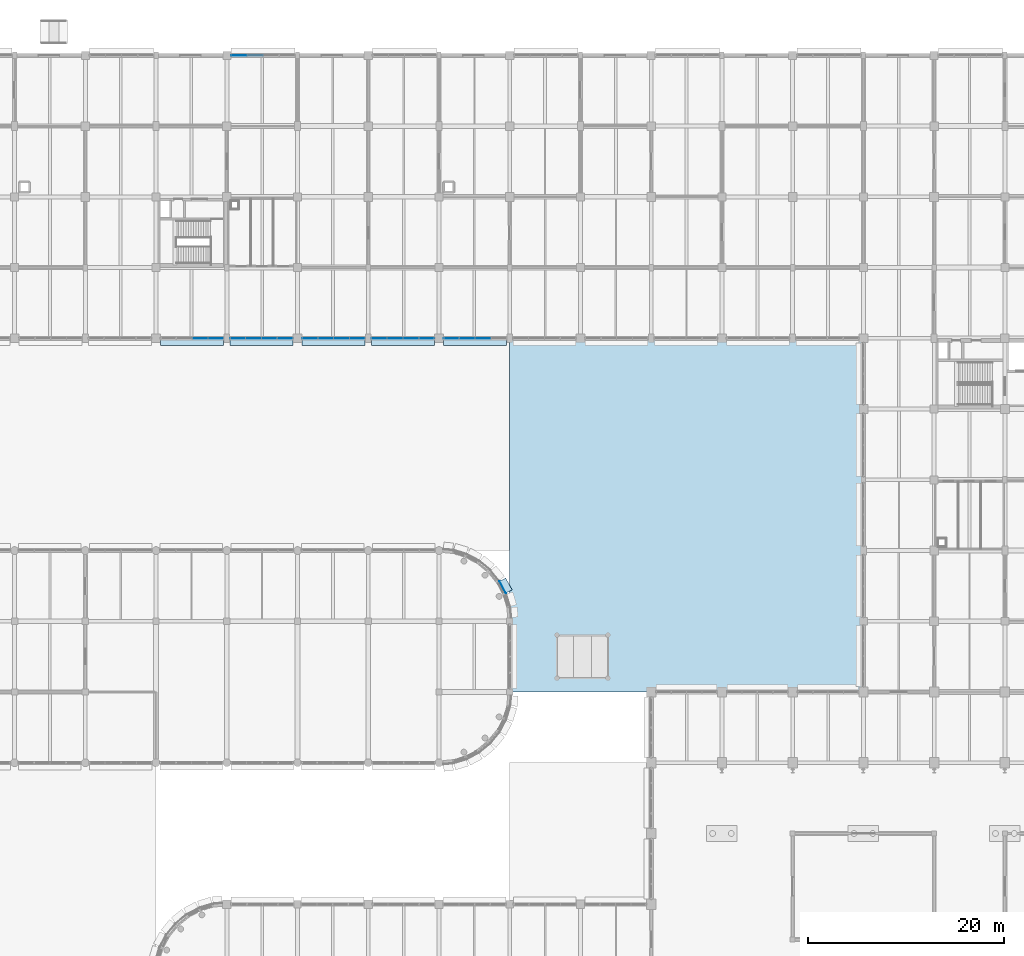
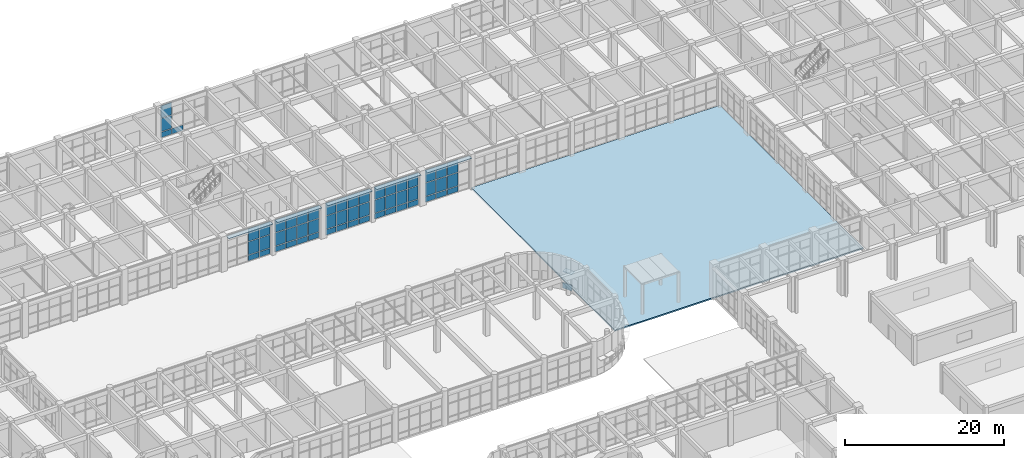
# One storey, part 127 of 160: 62 plates, 1 slab, 6 elements without a shape of their own.
"""IFC4 building model written with IfcOpenShell, lengths in metres."""

import ifcopenshell
import ifcopenshell.guid

model = None  # the IFC model being written
_history = None  # IfcOwnerHistory: only IFC2X3 demands one
_inside = {}  # id of a spatial element -> (the spatial element, [elements in it])
_under = {}  # id of a project, library or spatial element -> (it, [spatial elements below it])
_declared = {}  # id of a project -> (the project, [libraries it declares])
_typed = {}  # id of a type object -> (the type object, [elements of that type])
_made_of = {}  # id of a material, layer set ... -> (it, [elements and type objects made of it])


def new_model(schema):
    """Start an empty IFC model of exactly this schema.

    Asked for "IFC4X3", IfcOpenShell would pick the latest addendum, in which some entities
    have other attributes; the version numbers below select the first issue.
    IFC2X3 requires an IfcOwnerHistory on every rooted entity: one is made here for all.
    """
    global model, _history
    if schema == "IFC4X3":
        model = ifcopenshell.file(schema_version=(4, 3, 0, 0))
    else:
        model = ifcopenshell.file(schema=schema)
    _inside.clear()
    _under.clear()
    _declared.clear()
    _typed.clear()
    _made_of.clear()
    _history = None
    if model.schema == "IFC2X3":
        org = make("IfcOrganization", Name="unknown")
        user = make(
            "IfcPersonAndOrganization",
            ThePerson=make("IfcPerson", FamilyName="unknown"),
            TheOrganization=org,
        )
        app = make(
            "IfcApplication",
            ApplicationDeveloper=org,
            Version="unknown",
            ApplicationFullName="unknown",
            ApplicationIdentifier="unknown",
        )
        _history = make(
            "IfcOwnerHistory",
            OwningUser=user,
            OwningApplication=app,
            ChangeAction="ADDED",
            CreationDate=0,
        )
    return model


def make(cls, **values):
    """One entity of the class cls with the attributes given. An attribute that is None is left unset."""
    return model.create_entity(
        cls, **{name: value for name, value in values.items() if value is not None}
    )


def rooted(cls, **values):
    """An entity with a GlobalId (a new one), such as an element, a storey or a relation."""
    return make(cls, GlobalId=ifcopenshell.guid.new(), OwnerHistory=_history, **values)


def si_unit(unit_type, name, prefix=None):
    """IfcSIUnit, for example si_unit("LENGTHUNIT", "METRE", prefix="MILLI")."""
    return make("IfcSIUnit", UnitType=unit_type, Prefix=prefix, Name=name)


def assignment(units):
    """IfcUnitAssignment: the units of a project."""
    return None if units is None else make("IfcUnitAssignment", Units=units)


def point(xyz):
    """IfcCartesianPoint."""
    return None if xyz is None else make("IfcCartesianPoint", Coordinates=xyz)


def direction(xyz):
    """IfcDirection."""
    return None if xyz is None else make("IfcDirection", DirectionRatios=xyz)


def frame(location, z_axis=None, x_axis=None):
    """IfcAxis2Placement3D, a coordinate frame: its origin and axes. An axis left out is left unset."""
    return make(
        "IfcAxis2Placement3D",
        Location=point(location),
        Axis=direction(z_axis),
        RefDirection=direction(x_axis),
    )


def frame_2d(location, x_axis=None):
    """IfcAxis2Placement2D, a coordinate frame in the plane: its origin and x axis."""
    return make(
        "IfcAxis2Placement2D", Location=point(location), RefDirection=direction(x_axis)
    )


def origin():
    """The frame at (0, 0, 0) with its axes left unset."""
    return frame((0.0, 0.0, 0.0))


def origin_2d():
    """The frame at (0, 0) in the plane with its x axis left unset."""
    return frame_2d((0.0, 0.0))


def place(relative_to, where):
    """IfcLocalPlacement: puts the frame where relative to a parent placement (None: the world)."""
    return make(
        "IfcLocalPlacement", PlacementRelTo=relative_to, RelativePlacement=where
    )


def context(
    kind, dimensions, precision=None, world=None, true_north=None, identifier=None
):
    """IfcGeometricRepresentationContext, for example the 3D "Model" context."""
    return make(
        "IfcGeometricRepresentationContext",
        ContextIdentifier=identifier,
        ContextType=kind,
        CoordinateSpaceDimension=dimensions,
        Precision=precision,
        WorldCoordinateSystem=world,
        TrueNorth=true_north,
    )


def subcontext(parent, identifier, kind, view, scale=None):
    """IfcGeometricRepresentationSubContext, for example "Body" below "Model"."""
    return make(
        "IfcGeometricRepresentationSubContext",
        ContextIdentifier=identifier,
        ContextType=kind,
        ParentContext=parent,
        TargetScale=scale,
        TargetView=view,
    )


def project(units=None, contexts=None):
    """IfcProject with its units and contexts."""
    return rooted(
        "IfcProject",
        Name="project",
        RepresentationContexts=contexts,
        UnitsInContext=assignment(units),
    )


def spatial(cls, under=None, at=None, **own):
    """A site, building, storey or space (cls), placed at a placement, below another one or the project."""
    s = rooted(cls, ObjectPlacement=at, **own)
    if under is not None:
        _under.setdefault(under.id(), (under, []))[1].append(s)
    return s


def polyline(points):
    """IfcPolyline through the points."""
    return make("IfcPolyline", Points=[point(p) for p in points])


def profile(cls, at=None, kind="AREA", **sizes):
    """A parametric profile (cls). Its sizes go by their IFC names, for example OverallWidth=200.0."""
    return make(cls, ProfileType=kind, Position=at, **sizes)


def rectangle(**sizes):
    """IfcRectangleProfileDef."""
    return profile("IfcRectangleProfileDef", **sizes)


def outline(outer, holes=None, kind="AREA"):
    """IfcArbitraryClosedProfileDef: a profile drawn as a closed curve; with holes, ...WithVoids."""
    if holes is None:
        return make("IfcArbitraryClosedProfileDef", ProfileType=kind, OuterCurve=outer)
    return make(
        "IfcArbitraryProfileDefWithVoids",
        ProfileType=kind,
        OuterCurve=outer,
        InnerCurves=holes,
    )


def extrude(swept, where, along, depth):
    """IfcExtrudedAreaSolid: the profile swept, set in the frame where, extruded along a direction by depth."""
    return make(
        "IfcExtrudedAreaSolid",
        SweptArea=swept,
        Position=where,
        ExtrudedDirection=direction(along),
        Depth=depth,
    )


def shape(context_of_items, identifier, shape_type, items):
    """IfcShapeRepresentation: the items that make up one representation, for example the "Body"."""
    return make(
        "IfcShapeRepresentation",
        ContextOfItems=context_of_items,
        RepresentationIdentifier=identifier,
        RepresentationType=shape_type,
        Items=items,
    )


def material(Name=None, Category=None):
    """IfcMaterial."""
    return make("IfcMaterial", Name=Name, Category=Category)


def layer(
    of_material, thickness, ventilated=None, Name=None, Category=None, Priority=None
):
    """IfcMaterialLayer: one layer of a wall or slab, of a material (None: an air gap)."""
    return make(
        "IfcMaterialLayer",
        Material=of_material,
        LayerThickness=thickness,
        IsVentilated=ventilated,
        Name=Name,
        Category=Category,
        Priority=Priority,
    )


def layer_set(layers, Name=None):
    """IfcMaterialLayerSet."""
    return make("IfcMaterialLayerSet", MaterialLayers=layers, LayerSetName=Name)


def made_of(thing, what):
    """Note that an element or type object is made of a material, layer set ...; save() writes the relation."""
    if what is not None:
        _made_of.setdefault(what.id(), (what, []))[1].append(thing)
    return thing


def type_object(cls, material=None, **own):
    """A type object (cls), such as IfcWallType, which elements share."""
    return made_of(rooted(cls, **own), material)


def element(
    cls,
    number,
    at=None,
    inside=None,
    cuts=None,
    type_object=None,
    material=None,
    context=None,
    identifier="Body",
    shape_type=None,
    held_by="IfcProductDefinitionShape",
    body=None,
    shapes=None,
    **own,
):
    """One element of the class cls, such as IfcWall. Its Tag is "e" and its number.

    at: its placement. inside: the storey or other place that contains it. cuts: it is an
    opening in that element (IfcRelVoidsElement). A single representation is given by context,
    identifier, shape_type and body (its items); several are given by shapes. held_by: the class
    of the entity that holds the representations. save() writes the other relations.
    """
    e = rooted(cls, Tag="e%d" % number, ObjectPlacement=at, **own)
    if body is not None:
        shapes = [shape(context, identifier, shape_type, body)]
    if shapes is not None:
        e.Representation = make(held_by, Representations=shapes)
    if inside is not None:
        _inside.setdefault(inside.id(), (inside, []))[1].append(e)
    if cuts is not None:
        rooted(
            "IfcRelVoidsElement", RelatingBuildingElement=cuts, RelatedOpeningElement=e
        )
    if type_object is not None:
        _typed.setdefault(type_object.id(), (type_object, []))[1].append(e)
    return made_of(e, material)


def aggregate(whole, parts):
    """IfcRelAggregates: a whole, such as a stair, and the parts it consists of."""
    return rooted("IfcRelAggregates", RelatingObject=whole, RelatedObjects=parts)


def save(model, path):
    """Write the relations noted so far, then the file.

    IfcRelAggregates (storeys below a building ...), IfcRelContainedInSpatialStructure (elements
    in a storey), IfcRelDefinesByType, IfcRelAssociatesMaterial and IfcRelDeclares: one each for
    every whole, place, type object, material and project.
    """
    for whole, parts in _under.values():
        aggregate(whole, parts)
    for where, things in _inside.values():
        rooted(
            "IfcRelContainedInSpatialStructure",
            RelatedElements=things,
            RelatingStructure=where,
        )
    for kind, things in _typed.values():
        rooted("IfcRelDefinesByType", RelatedObjects=things, RelatingType=kind)
    for what, things in _made_of.values():
        rooted("IfcRelAssociatesMaterial", RelatedObjects=things, RelatingMaterial=what)
    for by, libraries in _declared.values():
        rooted("IfcRelDeclares", RelatingContext=by, RelatedDefinitions=libraries)
    model.write(path)


model = new_model("IFC4")

# Units and contexts
model_context = context("Model", 3, precision=1e-05, world=origin(), true_north=direction((0.0, 1.0)))
body_context = subcontext(model_context, "Body", "Model", "MODEL_VIEW")
ifc_project = project(units=[si_unit("LENGTHUNIT", "METRE"), si_unit("AREAUNIT", "SQUARE_METRE"), si_unit("VOLUMEUNIT", "CUBIC_METRE"), si_unit("PLANEANGLEUNIT", "RADIAN"), si_unit("MASSUNIT", "GRAM", prefix="KILO")], contexts=[model_context])

# Site, building, storey
site_placement = place(None, origin())
site = spatial("IfcSite", under=ifc_project, at=site_placement, CompositionType="ELEMENT")
building_placement = place(site_placement, origin())
building = spatial("IfcBuilding", under=site, at=building_placement, Name="Thalmaran Polytechnic", CompositionType="ELEMENT")
storey_placement = place(building_placement, origin())
storey = spatial("IfcBuildingStorey", under=building, at=storey_placement, Name="L00", CompositionType="ELEMENT", Elevation=0.0)

# Plates
ifc_material_1 = material(Name="Anodised aluminium spandrel band", Category="aluminium")
ifc_layer_1 = layer(ifc_material_1, 0.054931640625, Name="Anodised aluminium spandrel band")
ifc_layer_set_1 = layer_set([ifc_layer_1], Name="Anodised aluminium spandrel band")
plate_type_1 = type_object("IfcPlateType", Name="PT-BD01", PredefinedType="SHEET", material=ifc_layer_set_1)
plate_1_placement = place(storey_placement, frame((92.8779296875, 68.262451171875, 0.02001953125), z_axis=(0.0, 0.0, 1.0), x_axis=(0.471396736826, -0.881921264348, 0.0)))
element("IfcPlate", 1, at=plate_1_placement, inside=storey, type_object=plate_type_1, Name="Streamline Horizontal Spandrel Band L00-125", PredefinedType="SHEET", context=body_context, shape_type="SweptSolid", body=[
    extrude(rectangle(XDim=1.371337890625, YDim=0.054931640625, at=origin_2d()), origin(), (0.0, 0.0, 1.0), 0.8798828125),
])
ifc_material_2 = material(Name="Anodised aluminium sun-hood eyebrow", Category="aluminium")
ifc_layer_2 = layer(ifc_material_2, 0.0849609375, Name="Anodised aluminium sun-hood eyebrow")
ifc_layer_set_2 = layer_set([ifc_layer_2], Name="Anodised aluminium sun-hood eyebrow")
plate_type_2 = type_object("IfcPlateType", Name="PT-EB01", PredefinedType="SHEET", material=ifc_layer_set_2)
for number, where, z_axis, x_axis, name in (
    (2, (82.72998046875, 93.239990234375, 4.987548828125), (0.0, 0.0, 1.0), (-1.0, 0.0, 0.0), "Streamline Sun-Hood Eyebrow L00-CW014"),
    (3, (75.669921875, 93.239990234375, 4.987548828125), (0.0, 0.0, 1.0), (-1.0, 0.0, 0.0), "Streamline Sun-Hood Eyebrow L00-CW015"),
    (4, (68.330078125, 93.239990234375, 4.987548828125), (0.0, 0.0, 1.0), (-1.0, 0.0, 0.0), "Streamline Sun-Hood Eyebrow L00-CW016"),
    (5, (61.27001953125, 93.239990234375, 4.987548828125), (0.0, 0.0, 1.0), (-1.0, 0.0, 0.0), "Streamline Sun-Hood Eyebrow L00-CW017"),
):
    element("IfcPlate", number, at=place(storey_placement, frame(where, z_axis=z_axis, x_axis=x_axis)), inside=storey, type_object=plate_type_2, Name=name, PredefinedType="SHEET", context=body_context, shape_type="SweptSolid", body=[
        extrude(rectangle(XDim=6.419921875, YDim=0.760009765625, at=origin_2d()), origin(), (0.0, 0.0, 1.0), 0.0849609375),
    ])
plate_2_placement = place(storey_placement, frame((93.182373046875, 68.42529296875, 2.517578125), z_axis=(0.0, 0.0, 1.0), x_axis=(0.471396736826, -0.881921264348, 0.0)))
element("IfcPlate", 6, at=plate_2_placement, inside=storey, type_object=plate_type_2, Name="Streamline Sun-Hood Eyebrow L00-125", PredefinedType="SHEET", context=body_context, shape_type="SweptSolid", body=[
    extrude(rectangle(XDim=1.371337890625, YDim=0.760009765625, at=origin_2d()), origin(), (0.0, 0.0, 1.0), 0.0849609375),
])
plate_3_placement = place(storey_placement, frame((90.070068359375, 93.239990234375, 4.987548828125), z_axis=(0.0, 0.0, 1.0), x_axis=(-1.0, 0.0, 0.0)))
element("IfcPlate", 7, at=plate_3_placement, inside=storey, type_object=plate_type_2, Name="Streamline Sun-Hood Eyebrow L00-CW077", PredefinedType="SHEET", context=body_context, shape_type="SweptSolid", body=[
    extrude(rectangle(XDim=6.419921875, YDim=0.760009765625, at=origin_2d()), origin(), (0.0, 0.0, 1.0), 0.0849609375),
])

# Curtain wall, plates
ifc_material_3 = material(Name="Aluminium 6063-T6", Category="aluminium")
curtain_wall_type = type_object("IfcCurtainWallType", Name="CW-UC01", PredefinedType="USERDEFINED", material=ifc_material_3)
curtain_wall_1_placement = place(storey_placement, origin())
curtain_wall_1 = element("IfcCurtainWall", 8, at=curtain_wall_1_placement, inside=storey, type_object=curtain_wall_type, Name="Curtain Wall CW-L00-015", ObjectType="UNITISED CURTAIN WALL", PredefinedType="USERDEFINED")
ifc_material_4 = material(Name="Solar-control double low-E glass", Category="glass")
ifc_layer_3 = layer(ifc_material_4, 0.035888671875, Name="Solar-control double low-E glass")
ifc_layer_set_3 = layer_set([ifc_layer_3], Name="Solar-control double low-E glass")
plate_type_3 = type_object("IfcPlateType", Name="PT-GL01", PredefinedType="CURTAIN_PANEL", material=ifc_layer_set_3)
plate_4_placement = place(storey_placement, frame((78.092529296875, 93.60009765625, 1.0), z_axis=(0.0, 0.0, 1.0), x_axis=(-1.0, 0.0, 0.0)))
plate_4 = element("IfcPlate", 9, at=plate_4_placement, type_object=plate_type_3, Name="CW-L00-015 Vision Panel 1-2", PredefinedType="CURTAIN_PANEL", context=body_context, shape_type="SweptSolid", body=[
    extrude(rectangle(XDim=1.514892578125, YDim=0.035888671875, at=origin_2d()), origin(), (0.0, 0.0, 1.0), 1.985107421875),
])
plate_5_placement = place(storey_placement, frame((78.092529296875, 93.60009765625, 3.06494140625), z_axis=(0.0, 0.0, 1.0), x_axis=(-1.0, 0.0, 0.0)))
plate_5 = element("IfcPlate", 10, at=plate_5_placement, type_object=plate_type_3, Name="CW-L00-015 Vision Panel 1-3", PredefinedType="CURTAIN_PANEL", context=body_context, shape_type="SweptSolid", body=[
    extrude(rectangle(XDim=1.514892578125, YDim=0.035888671875, at=origin_2d()), origin(), (0.0, 0.0, 1.0), 1.925048828125),
])
plate_6_placement = place(storey_placement, frame((76.4775390625, 93.60009765625, 1.0), z_axis=(0.0, 0.0, 1.0), x_axis=(-1.0, 0.0, 0.0)))
plate_6 = element("IfcPlate", 11, at=plate_6_placement, type_object=plate_type_3, Name="CW-L00-015 Vision Panel 2-2", PredefinedType="CURTAIN_PANEL", context=body_context, shape_type="SweptSolid", body=[
    extrude(rectangle(XDim=1.514892578125, YDim=0.035888671875, at=origin_2d()), origin(), (0.0, 0.0, 1.0), 1.985107421875),
])
plate_7_placement = place(storey_placement, frame((76.4775390625, 93.60009765625, 3.06494140625), z_axis=(0.0, 0.0, 1.0), x_axis=(-1.0, 0.0, 0.0)))
plate_7 = element("IfcPlate", 12, at=plate_7_placement, type_object=plate_type_3, Name="CW-L00-015 Vision Panel 2-3", PredefinedType="CURTAIN_PANEL", context=body_context, shape_type="SweptSolid", body=[
    extrude(rectangle(XDim=1.514892578125, YDim=0.035888671875, at=origin_2d()), origin(), (0.0, 0.0, 1.0), 1.925048828125),
])
plate_8_placement = place(storey_placement, frame((74.862548828125, 93.60009765625, 1.0), z_axis=(0.0, 0.0, 1.0), x_axis=(-1.0, 0.0, 0.0)))
plate_8 = element("IfcPlate", 13, at=plate_8_placement, type_object=plate_type_3, Name="CW-L00-015 Vision Panel 3-2", PredefinedType="CURTAIN_PANEL", context=body_context, shape_type="SweptSolid", body=[
    extrude(rectangle(XDim=1.514892578125, YDim=0.035888671875, at=origin_2d()), origin(), (0.0, 0.0, 1.0), 1.985107421875),
])
plate_9_placement = place(storey_placement, frame((74.862548828125, 93.60009765625, 3.06494140625), z_axis=(0.0, 0.0, 1.0), x_axis=(-1.0, 0.0, 0.0)))
plate_9 = element("IfcPlate", 14, at=plate_9_placement, type_object=plate_type_3, Name="CW-L00-015 Vision Panel 3-3", PredefinedType="CURTAIN_PANEL", context=body_context, shape_type="SweptSolid", body=[
    extrude(rectangle(XDim=1.514892578125, YDim=0.035888671875, at=origin_2d()), origin(), (0.0, 0.0, 1.0), 1.925048828125),
])
plate_10_placement = place(storey_placement, frame((73.24755859375, 93.60009765625, 1.0), z_axis=(0.0, 0.0, 1.0), x_axis=(-1.0, 0.0, 0.0)))
plate_10 = element("IfcPlate", 15, at=plate_10_placement, type_object=plate_type_3, Name="CW-L00-015 Vision Panel 4-2", PredefinedType="CURTAIN_PANEL", context=body_context, shape_type="SweptSolid", body=[
    extrude(rectangle(XDim=1.514892578125, YDim=0.035888671875, at=origin_2d()), origin(), (0.0, 0.0, 1.0), 1.985107421875),
])
plate_11_placement = place(storey_placement, frame((73.24755859375, 93.60009765625, 3.06494140625), z_axis=(0.0, 0.0, 1.0), x_axis=(-1.0, 0.0, 0.0)))
plate_11 = element("IfcPlate", 16, at=plate_11_placement, type_object=plate_type_3, Name="CW-L00-015 Vision Panel 4-3", PredefinedType="CURTAIN_PANEL", context=body_context, shape_type="SweptSolid", body=[
    extrude(rectangle(XDim=1.514892578125, YDim=0.035888671875, at=origin_2d()), origin(), (0.0, 0.0, 1.0), 1.925048828125),
])

curtain_wall_2_placement = place(storey_placement, origin())
curtain_wall_2 = element("IfcCurtainWall", 17, at=curtain_wall_2_placement, inside=storey, type_object=curtain_wall_type, Name="Curtain Wall CW-L00-006", ObjectType="UNITISED CURTAIN WALL", PredefinedType="USERDEFINED")
ifc_layer_4 = layer(ifc_material_4, 0.035888671875, Name="Solar-control double low-E glass")
ifc_layer_set_4 = layer_set([ifc_layer_4], Name="Solar-control double low-E glass")
plate_type_4 = type_object("IfcPlateType", Name="PT-GL02", PredefinedType="CURTAIN_PANEL", material=ifc_layer_set_4)
plate_12_placement = place(storey_placement, frame((66.030517578125, 122.39990234375, 1.0), z_axis=(0.0, 0.0, 1.0), x_axis=(1.0, 0.0, 0.0)))
plate_12 = element("IfcPlate", 18, at=plate_12_placement, type_object=plate_type_4, Name="CW-L00-006 Vision Panel 1-2", PredefinedType="CURTAIN_PANEL", context=body_context, shape_type="SweptSolid", body=[
    extrude(rectangle(XDim=1.541259765625, YDim=0.035888671875, at=origin_2d()), origin(), (0.0, 0.0, 1.0), 1.985107421875),
])
plate_13_placement = place(storey_placement, frame((66.030517578125, 122.39990234375, 3.06494140625), z_axis=(0.0, 0.0, 1.0), x_axis=(1.0, 0.0, 0.0)))
plate_13 = element("IfcPlate", 19, at=plate_13_placement, type_object=plate_type_4, Name="CW-L00-006 Vision Panel 1-3", PredefinedType="CURTAIN_PANEL", context=body_context, shape_type="SweptSolid", body=[
    extrude(rectangle(XDim=1.541259765625, YDim=0.035888671875, at=origin_2d()), origin(), (0.0, 0.0, 1.0), 1.925048828125),
])

curtain_wall_3_placement = place(storey_placement, origin())
curtain_wall_3 = element("IfcCurtainWall", 20, at=curtain_wall_3_placement, inside=storey, type_object=curtain_wall_type, Name="Curtain Wall CW-L00-016", ObjectType="UNITISED CURTAIN WALL", PredefinedType="USERDEFINED")
plate_14_placement = place(storey_placement, frame((70.75244140625, 93.60009765625, 1.0), z_axis=(0.0, 0.0, 1.0), x_axis=(-1.0, 0.0, 0.0)))
plate_14 = element("IfcPlate", 21, at=plate_14_placement, type_object=plate_type_4, Name="CW-L00-016 Vision Panel 1-2", PredefinedType="CURTAIN_PANEL", context=body_context, shape_type="SweptSolid", body=[
    extrude(rectangle(XDim=1.514892578125, YDim=0.035888671875, at=origin_2d()), origin(), (0.0, 0.0, 1.0), 1.985107421875),
])
plate_15_placement = place(storey_placement, frame((70.75244140625, 93.60009765625, 3.06494140625), z_axis=(0.0, 0.0, 1.0), x_axis=(-1.0, 0.0, 0.0)))
plate_15 = element("IfcPlate", 22, at=plate_15_placement, type_object=plate_type_4, Name="CW-L00-016 Vision Panel 1-3", PredefinedType="CURTAIN_PANEL", context=body_context, shape_type="SweptSolid", body=[
    extrude(rectangle(XDim=1.514892578125, YDim=0.035888671875, at=origin_2d()), origin(), (0.0, 0.0, 1.0), 1.925048828125),
])
plate_16_placement = place(storey_placement, frame((69.137451171875, 93.60009765625, 1.0), z_axis=(0.0, 0.0, 1.0), x_axis=(-1.0, 0.0, 0.0)))
plate_16 = element("IfcPlate", 23, at=plate_16_placement, type_object=plate_type_4, Name="CW-L00-016 Vision Panel 2-2", PredefinedType="CURTAIN_PANEL", context=body_context, shape_type="SweptSolid", body=[
    extrude(rectangle(XDim=1.514892578125, YDim=0.035888671875, at=origin_2d()), origin(), (0.0, 0.0, 1.0), 1.985107421875),
])
plate_17_placement = place(storey_placement, frame((69.137451171875, 93.60009765625, 3.06494140625), z_axis=(0.0, 0.0, 1.0), x_axis=(-1.0, 0.0, 0.0)))
plate_17 = element("IfcPlate", 24, at=plate_17_placement, type_object=plate_type_4, Name="CW-L00-016 Vision Panel 2-3", PredefinedType="CURTAIN_PANEL", context=body_context, shape_type="SweptSolid", body=[
    extrude(rectangle(XDim=1.514892578125, YDim=0.035888671875, at=origin_2d()), origin(), (0.0, 0.0, 1.0), 1.925048828125),
])
plate_18_placement = place(storey_placement, frame((67.5224609375, 93.60009765625, 1.0), z_axis=(0.0, 0.0, 1.0), x_axis=(-1.0, 0.0, 0.0)))
plate_18 = element("IfcPlate", 25, at=plate_18_placement, type_object=plate_type_4, Name="CW-L00-016 Vision Panel 3-2", PredefinedType="CURTAIN_PANEL", context=body_context, shape_type="SweptSolid", body=[
    extrude(rectangle(XDim=1.514892578125, YDim=0.035888671875, at=origin_2d()), origin(), (0.0, 0.0, 1.0), 1.985107421875),
])
plate_19_placement = place(storey_placement, frame((67.5224609375, 93.60009765625, 3.06494140625), z_axis=(0.0, 0.0, 1.0), x_axis=(-1.0, 0.0, 0.0)))
plate_19 = element("IfcPlate", 26, at=plate_19_placement, type_object=plate_type_4, Name="CW-L00-016 Vision Panel 3-3", PredefinedType="CURTAIN_PANEL", context=body_context, shape_type="SweptSolid", body=[
    extrude(rectangle(XDim=1.514892578125, YDim=0.035888671875, at=origin_2d()), origin(), (0.0, 0.0, 1.0), 1.925048828125),
])
plate_20_placement = place(storey_placement, frame((65.907470703125, 93.60009765625, 1.0), z_axis=(0.0, 0.0, 1.0), x_axis=(-1.0, 0.0, 0.0)))
plate_20 = element("IfcPlate", 27, at=plate_20_placement, type_object=plate_type_4, Name="CW-L00-016 Vision Panel 4-2", PredefinedType="CURTAIN_PANEL", context=body_context, shape_type="SweptSolid", body=[
    extrude(rectangle(XDim=1.514892578125, YDim=0.035888671875, at=origin_2d()), origin(), (0.0, 0.0, 1.0), 1.985107421875),
])
plate_21_placement = place(storey_placement, frame((65.907470703125, 93.60009765625, 3.06494140625), z_axis=(0.0, 0.0, 1.0), x_axis=(-1.0, 0.0, 0.0)))
plate_21 = element("IfcPlate", 28, at=plate_21_placement, type_object=plate_type_4, Name="CW-L00-016 Vision Panel 4-3", PredefinedType="CURTAIN_PANEL", context=body_context, shape_type="SweptSolid", body=[
    extrude(rectangle(XDim=1.514892578125, YDim=0.035888671875, at=origin_2d()), origin(), (0.0, 0.0, 1.0), 1.925048828125),
])

curtain_wall_4_placement = place(storey_placement, origin())
curtain_wall_4 = element("IfcCurtainWall", 29, at=curtain_wall_4_placement, inside=storey, type_object=curtain_wall_type, Name="Curtain Wall CW-L00-017", ObjectType="UNITISED CURTAIN WALL", PredefinedType="USERDEFINED")
ifc_layer_5 = layer(ifc_material_4, 0.035888671875, Name="Solar-control double low-E glass")
ifc_layer_set_5 = layer_set([ifc_layer_5], Name="Solar-control double low-E glass")
plate_type_5 = type_object("IfcPlateType", Name="PT-GL03", PredefinedType="CURTAIN_PANEL", material=ifc_layer_set_5)
plate_22_placement = place(storey_placement, frame((63.6923828125, 93.60009765625, 1.0), z_axis=(0.0, 0.0, 1.0), x_axis=(-1.0, 0.0, 0.0)))
plate_22 = element("IfcPlate", 30, at=plate_22_placement, type_object=plate_type_5, Name="CW-L00-017 Vision Panel 1-2", PredefinedType="CURTAIN_PANEL", context=body_context, shape_type="SweptSolid", body=[
    extrude(rectangle(XDim=1.514892578125, YDim=0.035888671875, at=origin_2d()), origin(), (0.0, 0.0, 1.0), 1.985107421875),
])
plate_23_placement = place(storey_placement, frame((63.6923828125, 93.60009765625, 3.06494140625), z_axis=(0.0, 0.0, 1.0), x_axis=(-1.0, 0.0, 0.0)))
plate_23 = element("IfcPlate", 31, at=plate_23_placement, type_object=plate_type_5, Name="CW-L00-017 Vision Panel 1-3", PredefinedType="CURTAIN_PANEL", context=body_context, shape_type="SweptSolid", body=[
    extrude(rectangle(XDim=1.514892578125, YDim=0.035888671875, at=origin_2d()), origin(), (0.0, 0.0, 1.0), 1.925048828125),
])
plate_24_placement = place(storey_placement, frame((62.077392578125, 93.60009765625, 1.0), z_axis=(0.0, 0.0, 1.0), x_axis=(-1.0, 0.0, 0.0)))
plate_24 = element("IfcPlate", 32, at=plate_24_placement, type_object=plate_type_5, Name="CW-L00-017 Vision Panel 2-2", PredefinedType="CURTAIN_PANEL", context=body_context, shape_type="SweptSolid", body=[
    extrude(rectangle(XDim=1.514892578125, YDim=0.035888671875, at=origin_2d()), origin(), (0.0, 0.0, 1.0), 1.985107421875),
])
plate_25_placement = place(storey_placement, frame((62.077392578125, 93.60009765625, 3.06494140625), z_axis=(0.0, 0.0, 1.0), x_axis=(-1.0, 0.0, 0.0)))
plate_25 = element("IfcPlate", 33, at=plate_25_placement, type_object=plate_type_5, Name="CW-L00-017 Vision Panel 2-3", PredefinedType="CURTAIN_PANEL", context=body_context, shape_type="SweptSolid", body=[
    extrude(rectangle(XDim=1.514892578125, YDim=0.035888671875, at=origin_2d()), origin(), (0.0, 0.0, 1.0), 1.925048828125),
])

curtain_wall_5_placement = place(storey_placement, origin())
curtain_wall_5 = element("IfcCurtainWall", 34, at=curtain_wall_5_placement, inside=storey, type_object=curtain_wall_type, Name="Curtain Wall CW-L00-077", ObjectType="UNITISED CURTAIN WALL", PredefinedType="USERDEFINED")
plate_26_placement = place(storey_placement, frame((90.87744140625, 93.60009765625, 1.0), z_axis=(0.0, 0.0, 1.0), x_axis=(-1.0, 0.0, 0.0)))
plate_26 = element("IfcPlate", 35, at=plate_26_placement, type_object=plate_type_5, Name="CW-L00-077 Vision Panel 2-2", PredefinedType="CURTAIN_PANEL", context=body_context, shape_type="SweptSolid", body=[
    extrude(rectangle(XDim=1.514892578125, YDim=0.035888671875, at=origin_2d()), origin(), (0.0, 0.0, 1.0), 1.985107421875),
])
plate_27_placement = place(storey_placement, frame((90.87744140625, 93.60009765625, 3.06494140625), z_axis=(0.0, 0.0, 1.0), x_axis=(-1.0, 0.0, 0.0)))
plate_27 = element("IfcPlate", 36, at=plate_27_placement, type_object=plate_type_5, Name="CW-L00-077 Vision Panel 2-3", PredefinedType="CURTAIN_PANEL", context=body_context, shape_type="SweptSolid", body=[
    extrude(rectangle(XDim=1.514892578125, YDim=0.035888671875, at=origin_2d()), origin(), (0.0, 0.0, 1.0), 1.925048828125),
])
plate_28_placement = place(storey_placement, frame((89.262451171875, 93.60009765625, 1.0), z_axis=(0.0, 0.0, 1.0), x_axis=(-1.0, 0.0, 0.0)))
plate_28 = element("IfcPlate", 37, at=plate_28_placement, type_object=plate_type_5, Name="CW-L00-077 Vision Panel 3-2", PredefinedType="CURTAIN_PANEL", context=body_context, shape_type="SweptSolid", body=[
    extrude(rectangle(XDim=1.514892578125, YDim=0.035888671875, at=origin_2d()), origin(), (0.0, 0.0, 1.0), 1.985107421875),
])
plate_29_placement = place(storey_placement, frame((89.262451171875, 93.60009765625, 3.06494140625), z_axis=(0.0, 0.0, 1.0), x_axis=(-1.0, 0.0, 0.0)))
plate_29 = element("IfcPlate", 38, at=plate_29_placement, type_object=plate_type_5, Name="CW-L00-077 Vision Panel 3-3", PredefinedType="CURTAIN_PANEL", context=body_context, shape_type="SweptSolid", body=[
    extrude(rectangle(XDim=1.514892578125, YDim=0.035888671875, at=origin_2d()), origin(), (0.0, 0.0, 1.0), 1.925048828125),
])
plate_30_placement = place(storey_placement, frame((87.6474609375, 93.60009765625, 1.0), z_axis=(0.0, 0.0, 1.0), x_axis=(-1.0, 0.0, 0.0)))
plate_30 = element("IfcPlate", 39, at=plate_30_placement, type_object=plate_type_5, Name="CW-L00-077 Vision Panel 4-2", PredefinedType="CURTAIN_PANEL", context=body_context, shape_type="SweptSolid", body=[
    extrude(rectangle(XDim=1.514892578125, YDim=0.035888671875, at=origin_2d()), origin(), (0.0, 0.0, 1.0), 1.985107421875),
])
plate_31_placement = place(storey_placement, frame((87.6474609375, 93.60009765625, 3.06494140625), z_axis=(0.0, 0.0, 1.0), x_axis=(-1.0, 0.0, 0.0)))
plate_31 = element("IfcPlate", 40, at=plate_31_placement, type_object=plate_type_5, Name="CW-L00-077 Vision Panel 4-3", PredefinedType="CURTAIN_PANEL", context=body_context, shape_type="SweptSolid", body=[
    extrude(rectangle(XDim=1.514892578125, YDim=0.035888671875, at=origin_2d()), origin(), (0.0, 0.0, 1.0), 1.925048828125),
])

curtain_wall_6_placement = place(storey_placement, origin())
curtain_wall_6 = element("IfcCurtainWall", 41, at=curtain_wall_6_placement, inside=storey, type_object=curtain_wall_type, Name="Curtain Wall CW-L00-014", ObjectType="UNITISED CURTAIN WALL", PredefinedType="USERDEFINED")
ifc_layer_6 = layer(ifc_material_4, 0.035888671875, Name="Solar-control double low-E glass")
ifc_layer_set_6 = layer_set([ifc_layer_6], Name="Solar-control double low-E glass")
plate_type_6 = type_object("IfcPlateType", Name="PT-GL05", PredefinedType="CURTAIN_PANEL", material=ifc_layer_set_6)
plate_32_placement = place(storey_placement, frame((85.152587890625, 93.60009765625, 1.0), z_axis=(0.0, 0.0, 1.0), x_axis=(-1.0, 0.0, 0.0)))
plate_32 = element("IfcPlate", 42, at=plate_32_placement, type_object=plate_type_6, Name="CW-L00-014 Vision Panel 1-2", PredefinedType="CURTAIN_PANEL", context=body_context, shape_type="SweptSolid", body=[
    extrude(rectangle(XDim=1.514892578125, YDim=0.035888671875, at=origin_2d()), origin(), (0.0, 0.0, 1.0), 1.985107421875),
])
plate_33_placement = place(storey_placement, frame((85.152587890625, 93.60009765625, 3.06494140625), z_axis=(0.0, 0.0, 1.0), x_axis=(-1.0, 0.0, 0.0)))
plate_33 = element("IfcPlate", 43, at=plate_33_placement, type_object=plate_type_6, Name="CW-L00-014 Vision Panel 1-3", PredefinedType="CURTAIN_PANEL", context=body_context, shape_type="SweptSolid", body=[
    extrude(rectangle(XDim=1.514892578125, YDim=0.035888671875, at=origin_2d()), origin(), (0.0, 0.0, 1.0), 1.925048828125),
])
plate_34_placement = place(storey_placement, frame((83.53759765625, 93.60009765625, 1.0), z_axis=(0.0, 0.0, 1.0), x_axis=(-1.0, 0.0, 0.0)))
plate_34 = element("IfcPlate", 44, at=plate_34_placement, type_object=plate_type_6, Name="CW-L00-014 Vision Panel 2-2", PredefinedType="CURTAIN_PANEL", context=body_context, shape_type="SweptSolid", body=[
    extrude(rectangle(XDim=1.514892578125, YDim=0.035888671875, at=origin_2d()), origin(), (0.0, 0.0, 1.0), 1.985107421875),
])
plate_35_placement = place(storey_placement, frame((83.53759765625, 93.60009765625, 3.06494140625), z_axis=(0.0, 0.0, 1.0), x_axis=(-1.0, 0.0, 0.0)))
plate_35 = element("IfcPlate", 45, at=plate_35_placement, type_object=plate_type_6, Name="CW-L00-014 Vision Panel 2-3", PredefinedType="CURTAIN_PANEL", context=body_context, shape_type="SweptSolid", body=[
    extrude(rectangle(XDim=1.514892578125, YDim=0.035888671875, at=origin_2d()), origin(), (0.0, 0.0, 1.0), 1.925048828125),
])
plate_36_placement = place(storey_placement, frame((81.922607421875, 93.60009765625, 1.0), z_axis=(0.0, 0.0, 1.0), x_axis=(-1.0, 0.0, 0.0)))
plate_36 = element("IfcPlate", 46, at=plate_36_placement, type_object=plate_type_6, Name="CW-L00-014 Vision Panel 3-2", PredefinedType="CURTAIN_PANEL", context=body_context, shape_type="SweptSolid", body=[
    extrude(rectangle(XDim=1.514892578125, YDim=0.035888671875, at=origin_2d()), origin(), (0.0, 0.0, 1.0), 1.985107421875),
])
plate_37_placement = place(storey_placement, frame((81.922607421875, 93.60009765625, 3.06494140625), z_axis=(0.0, 0.0, 1.0), x_axis=(-1.0, 0.0, 0.0)))
plate_37 = element("IfcPlate", 47, at=plate_37_placement, type_object=plate_type_6, Name="CW-L00-014 Vision Panel 3-3", PredefinedType="CURTAIN_PANEL", context=body_context, shape_type="SweptSolid", body=[
    extrude(rectangle(XDim=1.514892578125, YDim=0.035888671875, at=origin_2d()), origin(), (0.0, 0.0, 1.0), 1.925048828125),
])
plate_38_placement = place(storey_placement, frame((80.3076171875, 93.60009765625, 1.0), z_axis=(0.0, 0.0, 1.0), x_axis=(-1.0, 0.0, 0.0)))
plate_38 = element("IfcPlate", 48, at=plate_38_placement, type_object=plate_type_6, Name="CW-L00-014 Vision Panel 4-2", PredefinedType="CURTAIN_PANEL", context=body_context, shape_type="SweptSolid", body=[
    extrude(rectangle(XDim=1.514892578125, YDim=0.035888671875, at=origin_2d()), origin(), (0.0, 0.0, 1.0), 1.985107421875),
])
plate_39_placement = place(storey_placement, frame((80.3076171875, 93.60009765625, 3.06494140625), z_axis=(0.0, 0.0, 1.0), x_axis=(-1.0, 0.0, 0.0)))
plate_39 = element("IfcPlate", 49, at=plate_39_placement, type_object=plate_type_6, Name="CW-L00-014 Vision Panel 4-3", PredefinedType="CURTAIN_PANEL", context=body_context, shape_type="SweptSolid", body=[
    extrude(rectangle(XDim=1.514892578125, YDim=0.035888671875, at=origin_2d()), origin(), (0.0, 0.0, 1.0), 1.925048828125),
])

# Plate
ifc_material_5 = material(Name="Insulated anodised aluminium spandrel", Category="aluminium")
ifc_layer_7 = layer(ifc_material_5, 0.06005859375, Name="Insulated anodised aluminium spandrel")
ifc_layer_set_7 = layer_set([ifc_layer_7], Name="Insulated anodised aluminium spandrel")
plate_type_7 = type_object("IfcPlateType", Name="PT-SP01", PredefinedType="CURTAIN_PANEL", material=ifc_layer_set_7)
plate_40_placement = place(storey_placement, frame((66.030517578125, 122.39990234375, 0.10009765625), z_axis=(0.0, 0.0, 1.0), x_axis=(1.0, 0.0, 0.0)))
plate_40 = element("IfcPlate", 50, at=plate_40_placement, type_object=plate_type_7, Name="CW-L00-006 Spandrel Panel 1-1", PredefinedType="CURTAIN_PANEL", context=body_context, shape_type="SweptSolid", body=[
    extrude(rectangle(XDim=1.541259765625, YDim=0.06005859375, at=origin_2d()), origin(), (0.0, 0.0, 1.0), 0.820068359375),
])

plate_41_placement = place(storey_placement, frame((67.671875, 122.39990234375, 0.10009765625), z_axis=(0.0, 0.0, 1.0), x_axis=(1.0, 0.0, 0.0)))
plate_41 = element("IfcPlate", 51, at=plate_41_placement, type_object=plate_type_7, Name="CW-L00-006 Spandrel Panel 2-1", PredefinedType="CURTAIN_PANEL", context=body_context, shape_type="SweptSolid", body=[
    extrude(rectangle(XDim=1.541259765625, YDim=0.06005859375, at=origin_2d()), origin(), (0.0, 0.0, 1.0), 0.820068359375),
])

aggregate(curtain_wall_2, [plate_40, plate_12, plate_13, plate_41])

plate_42_placement = place(storey_placement, frame((78.092529296875, 93.60009765625, 0.10009765625), z_axis=(0.0, 0.0, 1.0), x_axis=(-1.0, 0.0, 0.0)))
plate_42 = element("IfcPlate", 52, at=plate_42_placement, type_object=plate_type_7, Name="CW-L00-015 Spandrel Panel 1-1", PredefinedType="CURTAIN_PANEL", context=body_context, shape_type="SweptSolid", body=[
    extrude(rectangle(XDim=1.514892578125, YDim=0.06005859375, at=origin_2d()), origin(), (0.0, 0.0, 1.0), 0.820068359375),
])

plate_43_placement = place(storey_placement, frame((76.4775390625, 93.60009765625, 0.10009765625), z_axis=(0.0, 0.0, 1.0), x_axis=(-1.0, 0.0, 0.0)))
plate_43 = element("IfcPlate", 53, at=plate_43_placement, type_object=plate_type_7, Name="CW-L00-015 Spandrel Panel 2-1", PredefinedType="CURTAIN_PANEL", context=body_context, shape_type="SweptSolid", body=[
    extrude(rectangle(XDim=1.514892578125, YDim=0.06005859375, at=origin_2d()), origin(), (0.0, 0.0, 1.0), 0.820068359375),
])

plate_44_placement = place(storey_placement, frame((74.862548828125, 93.60009765625, 0.10009765625), z_axis=(0.0, 0.0, 1.0), x_axis=(-1.0, 0.0, 0.0)))
plate_44 = element("IfcPlate", 54, at=plate_44_placement, type_object=plate_type_7, Name="CW-L00-015 Spandrel Panel 3-1", PredefinedType="CURTAIN_PANEL", context=body_context, shape_type="SweptSolid", body=[
    extrude(rectangle(XDim=1.514892578125, YDim=0.06005859375, at=origin_2d()), origin(), (0.0, 0.0, 1.0), 0.820068359375),
])

plate_45_placement = place(storey_placement, frame((73.24755859375, 93.60009765625, 0.10009765625), z_axis=(0.0, 0.0, 1.0), x_axis=(-1.0, 0.0, 0.0)))
plate_45 = element("IfcPlate", 55, at=plate_45_placement, type_object=plate_type_7, Name="CW-L00-015 Spandrel Panel 4-1", PredefinedType="CURTAIN_PANEL", context=body_context, shape_type="SweptSolid", body=[
    extrude(rectangle(XDim=1.514892578125, YDim=0.06005859375, at=origin_2d()), origin(), (0.0, 0.0, 1.0), 0.820068359375),
])

aggregate(curtain_wall_1, [plate_42, plate_4, plate_5, plate_43, plate_6, plate_7, plate_44, plate_8, plate_9, plate_45, plate_10, plate_11])

ifc_layer_8 = layer(ifc_material_5, 0.06005859375, Name="Insulated anodised aluminium spandrel")
ifc_layer_set_8 = layer_set([ifc_layer_8], Name="Insulated anodised aluminium spandrel")
plate_type_8 = type_object("IfcPlateType", Name="PT-SP02", PredefinedType="CURTAIN_PANEL", material=ifc_layer_set_8)
plate_46_placement = place(storey_placement, frame((70.75244140625, 93.60009765625, 0.10009765625), z_axis=(0.0, 0.0, 1.0), x_axis=(-1.0, 0.0, 0.0)))
plate_46 = element("IfcPlate", 56, at=plate_46_placement, type_object=plate_type_8, Name="CW-L00-016 Spandrel Panel 1-1", PredefinedType="CURTAIN_PANEL", context=body_context, shape_type="SweptSolid", body=[
    extrude(rectangle(XDim=1.514892578125, YDim=0.06005859375, at=origin_2d()), origin(), (0.0, 0.0, 1.0), 0.820068359375),
])

plate_47_placement = place(storey_placement, frame((69.137451171875, 93.60009765625, 0.10009765625), z_axis=(0.0, 0.0, 1.0), x_axis=(-1.0, 0.0, 0.0)))
plate_47 = element("IfcPlate", 57, at=plate_47_placement, type_object=plate_type_8, Name="CW-L00-016 Spandrel Panel 2-1", PredefinedType="CURTAIN_PANEL", context=body_context, shape_type="SweptSolid", body=[
    extrude(rectangle(XDim=1.514892578125, YDim=0.06005859375, at=origin_2d()), origin(), (0.0, 0.0, 1.0), 0.820068359375),
])

plate_48_placement = place(storey_placement, frame((67.5224609375, 93.60009765625, 0.10009765625), z_axis=(0.0, 0.0, 1.0), x_axis=(-1.0, 0.0, 0.0)))
plate_48 = element("IfcPlate", 58, at=plate_48_placement, type_object=plate_type_8, Name="CW-L00-016 Spandrel Panel 3-1", PredefinedType="CURTAIN_PANEL", context=body_context, shape_type="SweptSolid", body=[
    extrude(rectangle(XDim=1.514892578125, YDim=0.06005859375, at=origin_2d()), origin(), (0.0, 0.0, 1.0), 0.820068359375),
])

plate_49_placement = place(storey_placement, frame((65.907470703125, 93.60009765625, 0.10009765625), z_axis=(0.0, 0.0, 1.0), x_axis=(-1.0, 0.0, 0.0)))
plate_49 = element("IfcPlate", 59, at=plate_49_placement, type_object=plate_type_8, Name="CW-L00-016 Spandrel Panel 4-1", PredefinedType="CURTAIN_PANEL", context=body_context, shape_type="SweptSolid", body=[
    extrude(rectangle(XDim=1.514892578125, YDim=0.06005859375, at=origin_2d()), origin(), (0.0, 0.0, 1.0), 0.820068359375),
])

aggregate(curtain_wall_3, [plate_46, plate_14, plate_15, plate_47, plate_16, plate_17, plate_48, plate_18, plate_19, plate_49, plate_20, plate_21])

ifc_layer_9 = layer(ifc_material_5, 0.06005859375, Name="Insulated anodised aluminium spandrel")
ifc_layer_set_9 = layer_set([ifc_layer_9], Name="Insulated anodised aluminium spandrel")
plate_type_9 = type_object("IfcPlateType", Name="PT-SP03", PredefinedType="CURTAIN_PANEL", material=ifc_layer_set_9)
plate_50_placement = place(storey_placement, frame((85.152587890625, 93.60009765625, 0.10009765625), z_axis=(0.0, 0.0, 1.0), x_axis=(-1.0, 0.0, 0.0)))
plate_50 = element("IfcPlate", 60, at=plate_50_placement, type_object=plate_type_9, Name="CW-L00-014 Spandrel Panel 1-1", PredefinedType="CURTAIN_PANEL", context=body_context, shape_type="SweptSolid", body=[
    extrude(rectangle(XDim=1.514892578125, YDim=0.06005859375, at=origin_2d()), origin(), (0.0, 0.0, 1.0), 0.820068359375),
])

plate_51_placement = place(storey_placement, frame((83.53759765625, 93.60009765625, 0.10009765625), z_axis=(0.0, 0.0, 1.0), x_axis=(-1.0, 0.0, 0.0)))
plate_51 = element("IfcPlate", 61, at=plate_51_placement, type_object=plate_type_9, Name="CW-L00-014 Spandrel Panel 2-1", PredefinedType="CURTAIN_PANEL", context=body_context, shape_type="SweptSolid", body=[
    extrude(rectangle(XDim=1.514892578125, YDim=0.06005859375, at=origin_2d()), origin(), (0.0, 0.0, 1.0), 0.820068359375),
])

plate_52_placement = place(storey_placement, frame((81.922607421875, 93.60009765625, 0.10009765625), z_axis=(0.0, 0.0, 1.0), x_axis=(-1.0, 0.0, 0.0)))
plate_52 = element("IfcPlate", 62, at=plate_52_placement, type_object=plate_type_9, Name="CW-L00-014 Spandrel Panel 3-1", PredefinedType="CURTAIN_PANEL", context=body_context, shape_type="SweptSolid", body=[
    extrude(rectangle(XDim=1.514892578125, YDim=0.06005859375, at=origin_2d()), origin(), (0.0, 0.0, 1.0), 0.820068359375),
])

plate_53_placement = place(storey_placement, frame((80.3076171875, 93.60009765625, 0.10009765625), z_axis=(0.0, 0.0, 1.0), x_axis=(-1.0, 0.0, 0.0)))
plate_53 = element("IfcPlate", 63, at=plate_53_placement, type_object=plate_type_9, Name="CW-L00-014 Spandrel Panel 4-1", PredefinedType="CURTAIN_PANEL", context=body_context, shape_type="SweptSolid", body=[
    extrude(rectangle(XDim=1.514892578125, YDim=0.06005859375, at=origin_2d()), origin(), (0.0, 0.0, 1.0), 0.820068359375),
])

aggregate(curtain_wall_6, [plate_50, plate_32, plate_33, plate_51, plate_34, plate_35, plate_52, plate_36, plate_37, plate_53, plate_38, plate_39])

plate_54_placement = place(storey_placement, frame((63.6923828125, 93.60009765625, 0.10009765625), z_axis=(0.0, 0.0, 1.0), x_axis=(-1.0, 0.0, 0.0)))
plate_54 = element("IfcPlate", 64, at=plate_54_placement, type_object=plate_type_9, Name="CW-L00-017 Spandrel Panel 1-1", PredefinedType="CURTAIN_PANEL", context=body_context, shape_type="SweptSolid", body=[
    extrude(rectangle(XDim=1.514892578125, YDim=0.06005859375, at=origin_2d()), origin(), (0.0, 0.0, 1.0), 0.820068359375),
])

plate_55_placement = place(storey_placement, frame((62.077392578125, 93.60009765625, 0.10009765625), z_axis=(0.0, 0.0, 1.0), x_axis=(-1.0, 0.0, 0.0)))
plate_55 = element("IfcPlate", 65, at=plate_55_placement, type_object=plate_type_9, Name="CW-L00-017 Spandrel Panel 2-1", PredefinedType="CURTAIN_PANEL", context=body_context, shape_type="SweptSolid", body=[
    extrude(rectangle(XDim=1.514892578125, YDim=0.06005859375, at=origin_2d()), origin(), (0.0, 0.0, 1.0), 0.820068359375),
])

aggregate(curtain_wall_4, [plate_54, plate_22, plate_23, plate_55, plate_24, plate_25])

plate_56_placement = place(storey_placement, frame((90.87744140625, 93.60009765625, 0.10009765625), z_axis=(0.0, 0.0, 1.0), x_axis=(-1.0, 0.0, 0.0)))
plate_56 = element("IfcPlate", 66, at=plate_56_placement, type_object=plate_type_9, Name="CW-L00-077 Spandrel Panel 2-1", PredefinedType="CURTAIN_PANEL", context=body_context, shape_type="SweptSolid", body=[
    extrude(rectangle(XDim=1.514892578125, YDim=0.06005859375, at=origin_2d()), origin(), (0.0, 0.0, 1.0), 0.820068359375),
])

plate_57_placement = place(storey_placement, frame((89.262451171875, 93.60009765625, 0.10009765625), z_axis=(0.0, 0.0, 1.0), x_axis=(-1.0, 0.0, 0.0)))
plate_57 = element("IfcPlate", 67, at=plate_57_placement, type_object=plate_type_9, Name="CW-L00-077 Spandrel Panel 3-1", PredefinedType="CURTAIN_PANEL", context=body_context, shape_type="SweptSolid", body=[
    extrude(rectangle(XDim=1.514892578125, YDim=0.06005859375, at=origin_2d()), origin(), (0.0, 0.0, 1.0), 0.820068359375),
])

plate_58_placement = place(storey_placement, frame((87.6474609375, 93.60009765625, 0.10009765625), z_axis=(0.0, 0.0, 1.0), x_axis=(-1.0, 0.0, 0.0)))
plate_58 = element("IfcPlate", 68, at=plate_58_placement, type_object=plate_type_9, Name="CW-L00-077 Spandrel Panel 4-1", PredefinedType="CURTAIN_PANEL", context=body_context, shape_type="SweptSolid", body=[
    extrude(rectangle(XDim=1.514892578125, YDim=0.06005859375, at=origin_2d()), origin(), (0.0, 0.0, 1.0), 0.820068359375),
])

aggregate(curtain_wall_5, [plate_56, plate_26, plate_27, plate_57, plate_28, plate_29, plate_58, plate_30, plate_31])

# Slab
ifc_material_6 = material(Name="Concrete C40/50", Category="concrete")
ifc_layer_10 = layer(ifc_material_6, 0.199951171875, Name="Concrete C40/50")
ifc_layer_set_10 = layer_set([ifc_layer_10], Name="Concrete C40/50")
slab_type = type_object("IfcSlabType", Name="SL-PV01", PredefinedType="BASESLAB", material=ifc_layer_set_10)
slab_placement = place(storey_placement, frame((0.0, 0.0, -0.199951171875)))
element("IfcSlab", 69, at=slab_placement, inside=storey, type_object=slab_type, Name="External Street Paving COURT-M1", PredefinedType="BASESLAB", context=body_context, shape_type="SweptSolid", body=[
    extrude(outline(polyline([(93.60009765625, 57.60009765625), (129.60009765625, 57.60009765625), (129.60009765625, 93.60009765625), (93.60009765625, 93.60009765625), (93.60009765625, 57.60009765625)])), origin(), (0.0, 0.0, 1.0), 0.199951171875),
])

save(model, "model.ifc")
